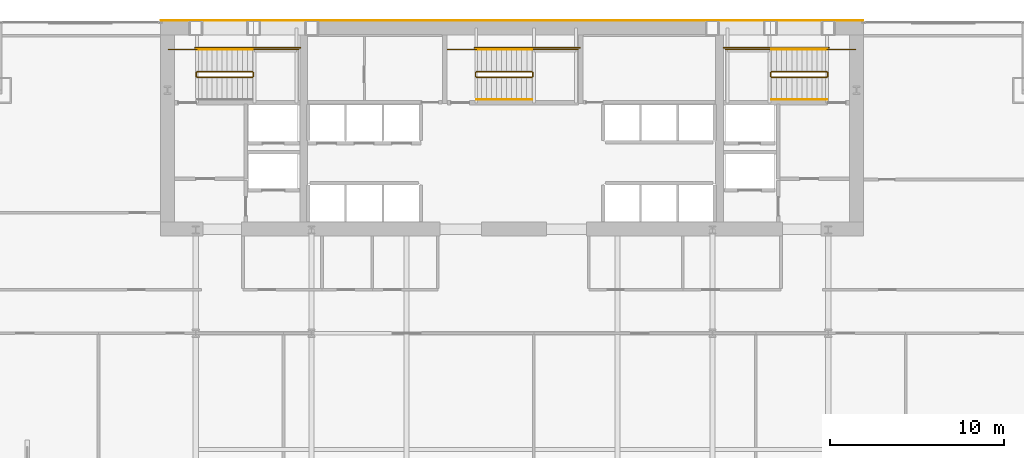
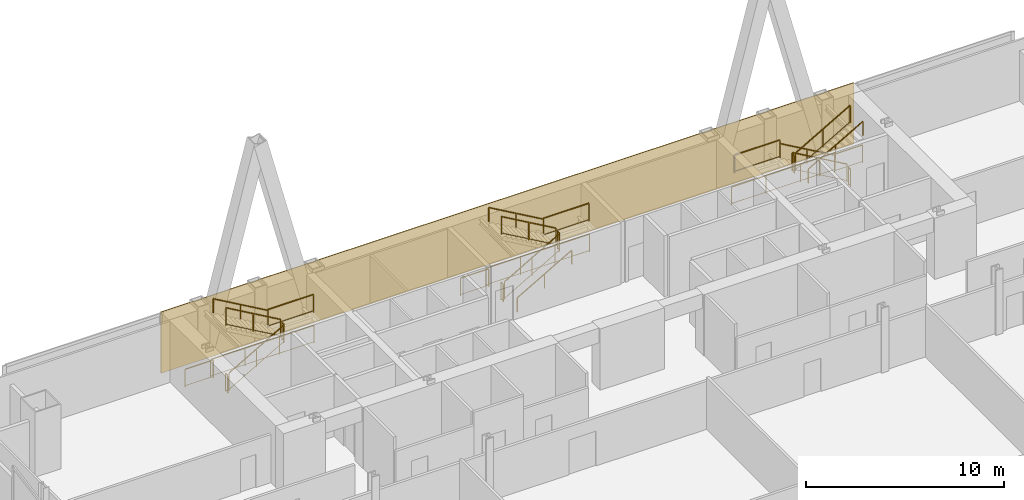
# One storey, part 32 of 32: 26 railings, 1 covering.
"""IFC4 building model written with IfcOpenShell, lengths in metres."""

from ifc_helpers import new_model, si_unit, direction, frame, origin, origin_2d, place, context, subcontext, project, spatial, polyline, rectangle, outline, extrude, material, layer, layer_set, type_object, element, save


model = new_model("IFC4")

# Units and contexts
model_context = context("Model", 3, precision=1e-05, world=origin(), true_north=direction((0.0, 1.0)))
body_context = subcontext(model_context, "Body", "Model", "MODEL_VIEW")
ifc_project = project(units=[si_unit("LENGTHUNIT", "METRE"), si_unit("AREAUNIT", "SQUARE_METRE"), si_unit("VOLUMEUNIT", "CUBIC_METRE"), si_unit("PLANEANGLEUNIT", "RADIAN"), si_unit("MASSUNIT", "GRAM", prefix="KILO")], contexts=[model_context])

# Site, building, storey
site_placement = place(None, origin())
site = spatial("IfcSite", under=ifc_project, at=site_placement, CompositionType="ELEMENT")
building_placement = place(site_placement, origin())
building = spatial("IfcBuilding", under=site, at=building_placement, Name="Khoronbel Lancet Exchange", CompositionType="ELEMENT")
storey_placement = place(building_placement, frame((0.0, 0.0, 81.800048828125)))
storey = spatial("IfcBuildingStorey", under=building, at=storey_placement, Name="L19", CompositionType="ELEMENT", Elevation=81.800048828125)

# Covering
ifc_material_1 = material(Name="Honed Egyptian Limestone & Bronze Rainscreen", Category="masonry")
ifc_layer = layer(ifc_material_1, 0.050048828125, Name="Honed Egyptian Limestone & Bronze Rainscreen")
ifc_layer_set = layer_set([ifc_layer], Name="Honed Egyptian Limestone & Bronze Rainscreen")
covering_type = type_object("IfcCoveringType", Name="COV-CLAD1", PredefinedType="CLADDING", material=ifc_layer_set)
covering_placement = place(storey_placement, origin())
element("IfcCovering", 1, at=covering_placement, inside=storey, type_object=covering_type, Name="Level L19 north rear-core stone and bronze rainscreen cladding", PredefinedType="CLADDING", context=body_context, shape_type="SweptSolid", body=[
    extrude(outline(polyline([(16.199951171875, 53.699951171875), (56.699951171875, 53.699951171875), (56.699951171875, 53.75), (16.199951171875, 53.75), (16.199951171875, 53.699951171875)])), origin(), (0.0, 0.0, 1.0), 3.780029296875),
])

# Railings
ifc_material_2 = material(Name="Painted Steel Balustrade", Category="steel")
railing_type_1 = type_object("IfcRailingType", Name="RL-STG110", PredefinedType="GUARDRAIL", material=ifc_material_2)
railing_1_placement = place(storey_placement, frame((18.300048828125, 50.449951171875, 0.16650390625)))
element("IfcRailing", 2, at=railing_1_placement, inside=storey, type_object=railing_type_1, Name="L19 ST1 stair guard 1", PredefinedType="GUARDRAIL", context=body_context, shape_type="SweptSolid", body=[
    extrude(rectangle(XDim=0.048095703125, YDim=0.048095703125, at=origin_2d()), frame((0.0, 0.0, 1.09619140625), z_axis=(0.86699087805, 0.0, 0.498324008431), x_axis=(0.0, 1.0, 0.0)), (0.0, 0.0, 1.0), 3.679443359375),
    extrude(rectangle(XDim=0.02392578125, YDim=0.02392578125, at=origin_2d()), frame((0.0, 0.0, 0.080078125), z_axis=(0.86699087805, 0.0, 0.498324008431), x_axis=(0.0, 1.0, 0.0)), (0.0, 0.0, 1.0), 3.679443359375),
    extrude(rectangle(XDim=0.0419921875, YDim=0.0419921875, at=origin_2d()), origin(), (0.0, 0.0, 1.0), 1.072021484375),
    extrude(rectangle(XDim=0.0419921875, YDim=0.0419921875, at=origin_2d()), frame((1.594970703125, 0.0, 0.916748046875)), (0.0, 0.0, 1.0), 1.072021484375),
    extrude(rectangle(XDim=0.0419921875, YDim=0.0419921875, at=origin_2d()), frame((3.18994140625, 0.0, 1.83349609375)), (0.0, 0.0, 1.0), 1.072021484375),
])
railing_2_placement = place(storey_placement, frame((21.5400390625, 50.5, 2.0)))
element("IfcRailing", 3, at=railing_2_placement, inside=storey, type_object=railing_type_1, Name="L19 ST1 stair guard 2", PredefinedType="GUARDRAIL", context=body_context, shape_type="SweptSolid", body=[
    extrude(rectangle(XDim=0.048095703125, YDim=0.048095703125, at=origin_2d()), frame((0.0, 0.0, 1.09619140625), z_axis=(0.0, 1.0, 0.0), x_axis=(-1.0, 0.0, 0.0)), (0.0, 0.0, 1.0), 0.219970703125),
    extrude(rectangle(XDim=0.02392578125, YDim=0.02392578125, at=origin_2d()), frame((0.0, 0.0, 0.080078125), z_axis=(0.0, 1.0, 0.0), x_axis=(-1.0, 0.0, 0.0)), (0.0, 0.0, 1.0), 0.219970703125),
    extrude(rectangle(XDim=0.0419921875, YDim=0.0419921875, at=origin_2d()), origin(), (0.0, 0.0, 1.0), 1.072021484375),
    extrude(rectangle(XDim=0.0419921875, YDim=0.0419921875, at=origin_2d()), frame((0.0, 0.219970703125, 0.0)), (0.0, 0.0, 1.0), 1.072021484375),
])
railing_3_placement = place(storey_placement, frame((21.489990234375, 52.050048828125, 2.0)))
element("IfcRailing", 4, at=railing_3_placement, inside=storey, type_object=railing_type_1, Name="L19 ST1 stair guard 3", PredefinedType="GUARDRAIL", context=body_context, shape_type="SweptSolid", body=[
    extrude(rectangle(XDim=0.048095703125, YDim=0.048095703125, at=origin_2d()), frame((0.0, 0.0, 1.09619140625), z_axis=(1.0, 0.0, 0.0), x_axis=(0.0, 1.0, 0.0)), (0.0, 0.0, 1.0), 2.659912109375),
    extrude(rectangle(XDim=0.02392578125, YDim=0.02392578125, at=origin_2d()), frame((0.0, 0.0, 0.080078125), z_axis=(1.0, 0.0, 0.0), x_axis=(0.0, 1.0, 0.0)), (0.0, 0.0, 1.0), 2.659912109375),
    extrude(rectangle(XDim=0.0419921875, YDim=0.0419921875, at=origin_2d()), origin(), (0.0, 0.0, 1.0), 1.072021484375),
    extrude(rectangle(XDim=0.0419921875, YDim=0.0419921875, at=origin_2d()), frame((2.659912109375, 0.0, 0.0)), (0.0, 0.0, 1.0), 1.072021484375),
])
railing_4_placement = place(storey_placement, frame((21.489990234375, 50.77001953125, 2.16650390625)))
element("IfcRailing", 5, at=railing_4_placement, inside=storey, type_object=railing_type_1, Name="L19 ST1 stair guard 4", PredefinedType="GUARDRAIL", context=body_context, shape_type="SweptSolid", body=[
    extrude(rectangle(XDim=0.048095703125, YDim=0.048095703125, at=origin_2d()), frame((0.0, 0.0, 1.09619140625), z_axis=(-0.86699087805, 0.0, 0.498324008431), x_axis=(0.0, -1.0, 0.0)), (0.0, 0.0, 1.0), 3.679443359375),
    extrude(rectangle(XDim=0.02392578125, YDim=0.02392578125, at=origin_2d()), frame((0.0, 0.0, 0.080078125), z_axis=(-0.86699087805, 0.0, 0.498324008431), x_axis=(0.0, -1.0, 0.0)), (0.0, 0.0, 1.0), 3.679443359375),
    extrude(rectangle(XDim=0.0419921875, YDim=0.0419921875, at=origin_2d()), origin(), (0.0, 0.0, 1.0), 1.072021484375),
    extrude(rectangle(XDim=0.0419921875, YDim=0.0419921875, at=origin_2d()), frame((-1.594970703125, 0.0, 0.916748046875)), (0.0, 0.0, 1.0), 1.072021484375),
    extrude(rectangle(XDim=0.0419921875, YDim=0.0419921875, at=origin_2d()), frame((-3.18994140625, 0.0, 1.83349609375)), (0.0, 0.0, 1.0), 1.072021484375),
])
railing_5_placement = place(storey_placement, frame((18.25, 50.5, 0.0)))
element("IfcRailing", 6, at=railing_5_placement, inside=storey, type_object=railing_type_1, Name="L19 ST1 stair guard 5", PredefinedType="GUARDRAIL", context=body_context, shape_type="SweptSolid", body=[
    extrude(rectangle(XDim=0.048095703125, YDim=0.048095703125, at=origin_2d()), frame((0.0, 0.0, 1.09619140625), z_axis=(0.0, 1.0, 0.0), x_axis=(-1.0, 0.0, 0.0)), (0.0, 0.0, 1.0), 0.219970703125),
    extrude(rectangle(XDim=0.02392578125, YDim=0.02392578125, at=origin_2d()), frame((0.0, 0.0, 0.080078125), z_axis=(0.0, 1.0, 0.0), x_axis=(-1.0, 0.0, 0.0)), (0.0, 0.0, 1.0), 0.219970703125),
    extrude(rectangle(XDim=0.0419921875, YDim=0.0419921875, at=origin_2d()), origin(), (0.0, 0.0, 1.0), 1.072021484375),
    extrude(rectangle(XDim=0.0419921875, YDim=0.0419921875, at=origin_2d()), frame((0.0, 0.219970703125, 0.0)), (0.0, 0.0, 1.0), 1.072021484375),
])
railing_6_placement = place(storey_placement, frame((16.64990234375, 52.050048828125, 0.0)))
element("IfcRailing", 7, at=railing_6_placement, inside=storey, type_object=railing_type_1, Name="L19 ST1 stair guard 6", PredefinedType="GUARDRAIL", context=body_context, shape_type="SweptSolid", body=[
    extrude(rectangle(XDim=0.048095703125, YDim=0.048095703125, at=origin_2d()), frame((0.0, 0.0, 1.09619140625), z_axis=(1.0, 0.0, 0.0), x_axis=(0.0, 1.0, 0.0)), (0.0, 0.0, 1.0), 1.650146484375),
    extrude(rectangle(XDim=0.02392578125, YDim=0.02392578125, at=origin_2d()), frame((0.0, 0.0, 0.080078125), z_axis=(1.0, 0.0, 0.0), x_axis=(0.0, 1.0, 0.0)), (0.0, 0.0, 1.0), 1.650146484375),
    extrude(rectangle(XDim=0.0419921875, YDim=0.0419921875, at=origin_2d()), origin(), (0.0, 0.0, 1.0), 1.072021484375),
    extrude(rectangle(XDim=0.0419921875, YDim=0.0419921875, at=origin_2d()), frame((1.650146484375, 0.0, 0.0)), (0.0, 0.0, 1.0), 1.072021484375),
])
railing_7_placement = place(storey_placement, frame((18.199951171875, 52.14990234375, 0.0)))
element("IfcRailing", 8, at=railing_7_placement, inside=storey, type_object=railing_type_1, Name="L19 ST1 stair guard 7", PredefinedType="GUARDRAIL", context=body_context, shape_type="SweptSolid", body=[
    extrude(rectangle(XDim=0.048095703125, YDim=0.048095703125, at=origin_2d()), frame((0.0, 0.0, 1.09619140625), z_axis=(1.0, 0.0, 0.0), x_axis=(0.0, 1.0, 0.0)), (0.0, 0.0, 1.0), 6.050048828125),
    extrude(rectangle(XDim=0.02392578125, YDim=0.02392578125, at=origin_2d()), frame((0.0, 0.0, 0.080078125), z_axis=(1.0, 0.0, 0.0), x_axis=(0.0, 1.0, 0.0)), (0.0, 0.0, 1.0), 6.050048828125),
    extrude(rectangle(XDim=0.0419921875, YDim=0.0419921875, at=origin_2d()), origin(), (0.0, 0.0, 1.0), 1.072021484375),
    extrude(rectangle(XDim=0.0419921875, YDim=0.0419921875, at=origin_2d()), frame((2.0166015625, 0.0, 0.0)), (0.0, 0.0, 1.0), 1.072021484375),
    extrude(rectangle(XDim=0.0419921875, YDim=0.0419921875, at=origin_2d()), frame((4.033447265625, 0.0, 0.0)), (0.0, 0.0, 1.0), 1.072021484375),
    extrude(rectangle(XDim=0.0419921875, YDim=0.0419921875, at=origin_2d()), frame((6.050048828125, 0.0, 0.0)), (0.0, 0.0, 1.0), 1.072021484375),
])
railing_8_placement = place(storey_placement, frame((54.60009765625, 50.77001953125, 0.16650390625)))
element("IfcRailing", 9, at=railing_8_placement, inside=storey, type_object=railing_type_1, Name="L19 ST2 stair guard 1", PredefinedType="GUARDRAIL", context=body_context, shape_type="SweptSolid", body=[
    extrude(rectangle(XDim=0.048095703125, YDim=0.048095703125, at=origin_2d()), frame((0.0, 0.0, 1.09619140625), z_axis=(-0.867007354286, 0.0, 0.498295341753), x_axis=(0.0, -1.0, 0.0)), (0.0, 0.0, 1.0), 3.679443359375),
    extrude(rectangle(XDim=0.02392578125, YDim=0.02392578125, at=origin_2d()), frame((0.0, 0.0, 0.080078125), z_axis=(-0.867007354286, 0.0, 0.498295341753), x_axis=(0.0, -1.0, 0.0)), (0.0, 0.0, 1.0), 3.679443359375),
    extrude(rectangle(XDim=0.0419921875, YDim=0.0419921875, at=origin_2d()), origin(), (0.0, 0.0, 1.0), 1.072021484375),
    extrude(rectangle(XDim=0.0419921875, YDim=0.0419921875, at=origin_2d()), frame((-1.59521484375, 0.0, 0.916748046875)), (0.0, 0.0, 1.0), 1.072021484375),
    extrude(rectangle(XDim=0.0419921875, YDim=0.0419921875, at=origin_2d()), frame((-3.190185546875, 0.0, 1.83349609375)), (0.0, 0.0, 1.0), 1.072021484375),
])
railing_9_placement = place(storey_placement, frame((51.360107421875, 50.719970703125, 2.0)))
element("IfcRailing", 10, at=railing_9_placement, inside=storey, type_object=railing_type_1, Name="L19 ST2 stair guard 2", PredefinedType="GUARDRAIL", context=body_context, shape_type="SweptSolid", body=[
    extrude(rectangle(XDim=0.048095703125, YDim=0.048095703125, at=origin_2d()), frame((0.0, 0.0, 1.09619140625), z_axis=(0.0, -1.0, 0.0), x_axis=(1.0, 0.0, 0.0)), (0.0, 0.0, 1.0), 0.219970703125),
    extrude(rectangle(XDim=0.02392578125, YDim=0.02392578125, at=origin_2d()), frame((0.0, 0.0, 0.080078125), z_axis=(0.0, -1.0, 0.0), x_axis=(1.0, 0.0, 0.0)), (0.0, 0.0, 1.0), 0.219970703125),
    extrude(rectangle(XDim=0.0419921875, YDim=0.0419921875, at=origin_2d()), origin(), (0.0, 0.0, 1.0), 1.072021484375),
    extrude(rectangle(XDim=0.0419921875, YDim=0.0419921875, at=origin_2d()), frame((0.0, -0.219970703125, 0.0)), (0.0, 0.0, 1.0), 1.072021484375),
])
railing_10_placement = place(storey_placement, frame((51.409912109375, 52.050048828125, 2.0)))
element("IfcRailing", 11, at=railing_10_placement, inside=storey, type_object=railing_type_1, Name="L19 ST2 stair guard 3", PredefinedType="GUARDRAIL", context=body_context, shape_type="SweptSolid", body=[
    extrude(rectangle(XDim=0.048095703125, YDim=0.048095703125, at=origin_2d()), frame((0.0, 0.0, 1.09619140625), z_axis=(-1.0, 0.0, 0.0), x_axis=(0.0, -1.0, 0.0)), (0.0, 0.0, 1.0), 2.659912109375),
    extrude(rectangle(XDim=0.02392578125, YDim=0.02392578125, at=origin_2d()), frame((0.0, 0.0, 0.080078125), z_axis=(-1.0, 0.0, 0.0), x_axis=(0.0, -1.0, 0.0)), (0.0, 0.0, 1.0), 2.659912109375),
    extrude(rectangle(XDim=0.0419921875, YDim=0.0419921875, at=origin_2d()), origin(), (0.0, 0.0, 1.0), 1.072021484375),
    extrude(rectangle(XDim=0.0419921875, YDim=0.0419921875, at=origin_2d()), frame((-2.659912109375, 0.0, 0.0)), (0.0, 0.0, 1.0), 1.072021484375),
])
railing_11_placement = place(storey_placement, frame((51.409912109375, 50.449951171875, 2.16650390625)))
element("IfcRailing", 12, at=railing_11_placement, inside=storey, type_object=railing_type_1, Name="L19 ST2 stair guard 4", PredefinedType="GUARDRAIL", context=body_context, shape_type="SweptSolid", body=[
    extrude(rectangle(XDim=0.048095703125, YDim=0.048095703125, at=origin_2d()), frame((0.0, 0.0, 1.09619140625), z_axis=(0.867007354286, 0.0, 0.498295341753), x_axis=(0.0, 1.0, 0.0)), (0.0, 0.0, 1.0), 3.679443359375),
    extrude(rectangle(XDim=0.02392578125, YDim=0.02392578125, at=origin_2d()), frame((0.0, 0.0, 0.080078125), z_axis=(0.867007354286, 0.0, 0.498295341753), x_axis=(0.0, 1.0, 0.0)), (0.0, 0.0, 1.0), 3.679443359375),
    extrude(rectangle(XDim=0.0419921875, YDim=0.0419921875, at=origin_2d()), origin(), (0.0, 0.0, 1.0), 1.072021484375),
    extrude(rectangle(XDim=0.0419921875, YDim=0.0419921875, at=origin_2d()), frame((1.59521484375, 0.0, 0.916748046875)), (0.0, 0.0, 1.0), 1.072021484375),
    extrude(rectangle(XDim=0.0419921875, YDim=0.0419921875, at=origin_2d()), frame((3.190185546875, 0.0, 1.83349609375)), (0.0, 0.0, 1.0), 1.072021484375),
])
railing_12_placement = place(storey_placement, frame((54.64990234375, 50.719970703125, 0.0)))
element("IfcRailing", 13, at=railing_12_placement, inside=storey, type_object=railing_type_1, Name="L19 ST2 stair guard 5", PredefinedType="GUARDRAIL", context=body_context, shape_type="SweptSolid", body=[
    extrude(rectangle(XDim=0.048095703125, YDim=0.048095703125, at=origin_2d()), frame((0.0, 0.0, 1.09619140625), z_axis=(0.0, -1.0, 0.0), x_axis=(1.0, 0.0, 0.0)), (0.0, 0.0, 1.0), 0.219970703125),
    extrude(rectangle(XDim=0.02392578125, YDim=0.02392578125, at=origin_2d()), frame((0.0, 0.0, 0.080078125), z_axis=(0.0, -1.0, 0.0), x_axis=(1.0, 0.0, 0.0)), (0.0, 0.0, 1.0), 0.219970703125),
    extrude(rectangle(XDim=0.0419921875, YDim=0.0419921875, at=origin_2d()), origin(), (0.0, 0.0, 1.0), 1.072021484375),
    extrude(rectangle(XDim=0.0419921875, YDim=0.0419921875, at=origin_2d()), frame((0.0, -0.219970703125, 0.0)), (0.0, 0.0, 1.0), 1.072021484375),
])
railing_13_placement = place(storey_placement, frame((56.25, 52.050048828125, 0.0)))
element("IfcRailing", 14, at=railing_13_placement, inside=storey, type_object=railing_type_1, Name="L19 ST2 stair guard 6", PredefinedType="GUARDRAIL", context=body_context, shape_type="SweptSolid", body=[
    extrude(rectangle(XDim=0.048095703125, YDim=0.048095703125, at=origin_2d()), frame((0.0, 0.0, 1.09619140625), z_axis=(-1.0, 0.0, 0.0), x_axis=(0.0, -1.0, 0.0)), (0.0, 0.0, 1.0), 1.64990234375),
    extrude(rectangle(XDim=0.02392578125, YDim=0.02392578125, at=origin_2d()), frame((0.0, 0.0, 0.080078125), z_axis=(-1.0, 0.0, 0.0), x_axis=(0.0, -1.0, 0.0)), (0.0, 0.0, 1.0), 1.64990234375),
    extrude(rectangle(XDim=0.0419921875, YDim=0.0419921875, at=origin_2d()), origin(), (0.0, 0.0, 1.0), 1.072021484375),
    extrude(rectangle(XDim=0.0419921875, YDim=0.0419921875, at=origin_2d()), frame((-1.64990234375, 0.0, 0.0)), (0.0, 0.0, 1.0), 1.072021484375),
])
railing_14_placement = place(storey_placement, frame((54.699951171875, 52.14990234375, 0.0)))
element("IfcRailing", 15, at=railing_14_placement, inside=storey, type_object=railing_type_1, Name="L19 ST2 stair guard 7", PredefinedType="GUARDRAIL", context=body_context, shape_type="SweptSolid", body=[
    extrude(rectangle(XDim=0.048095703125, YDim=0.048095703125, at=origin_2d()), frame((0.0, 0.0, 1.09619140625), z_axis=(-1.0, 0.0, 0.0), x_axis=(0.0, -1.0, 0.0)), (0.0, 0.0, 1.0), 6.050048828125),
    extrude(rectangle(XDim=0.02392578125, YDim=0.02392578125, at=origin_2d()), frame((0.0, 0.0, 0.080078125), z_axis=(-1.0, 0.0, 0.0), x_axis=(0.0, -1.0, 0.0)), (0.0, 0.0, 1.0), 6.050048828125),
    extrude(rectangle(XDim=0.0419921875, YDim=0.0419921875, at=origin_2d()), origin(), (0.0, 0.0, 1.0), 1.072021484375),
    extrude(rectangle(XDim=0.0419921875, YDim=0.0419921875, at=origin_2d()), frame((-2.0166015625, 0.0, 0.0)), (0.0, 0.0, 1.0), 1.072021484375),
    extrude(rectangle(XDim=0.0419921875, YDim=0.0419921875, at=origin_2d()), frame((-4.033447265625, 0.0, 0.0)), (0.0, 0.0, 1.0), 1.072021484375),
    extrude(rectangle(XDim=0.0419921875, YDim=0.0419921875, at=origin_2d()), frame((-6.050048828125, 0.0, 0.0)), (0.0, 0.0, 1.0), 1.072021484375),
])
railing_15_placement = place(storey_placement, frame((34.39990234375, 50.449951171875, 0.16650390625)))
element("IfcRailing", 16, at=railing_15_placement, inside=storey, type_object=railing_type_1, Name="L19 ST3 stair guard 1", PredefinedType="GUARDRAIL", context=body_context, shape_type="SweptSolid", body=[
    extrude(rectangle(XDim=0.048095703125, YDim=0.048095703125, at=origin_2d()), frame((0.0, 0.0, 1.09619140625), z_axis=(0.867007354286, 0.0, 0.498295341753), x_axis=(0.0, 1.0, 0.0)), (0.0, 0.0, 1.0), 3.679443359375),
    extrude(rectangle(XDim=0.02392578125, YDim=0.02392578125, at=origin_2d()), frame((0.0, 0.0, 0.080078125), z_axis=(0.867007354286, 0.0, 0.498295341753), x_axis=(0.0, 1.0, 0.0)), (0.0, 0.0, 1.0), 3.679443359375),
    extrude(rectangle(XDim=0.0419921875, YDim=0.0419921875, at=origin_2d()), origin(), (0.0, 0.0, 1.0), 1.072021484375),
    extrude(rectangle(XDim=0.0419921875, YDim=0.0419921875, at=origin_2d()), frame((1.59521484375, 0.0, 0.916748046875)), (0.0, 0.0, 1.0), 1.072021484375),
    extrude(rectangle(XDim=0.0419921875, YDim=0.0419921875, at=origin_2d()), frame((3.190185546875, 0.0, 1.83349609375)), (0.0, 0.0, 1.0), 1.072021484375),
])
railing_16_placement = place(storey_placement, frame((37.639892578125, 50.5, 2.0)))
element("IfcRailing", 17, at=railing_16_placement, inside=storey, type_object=railing_type_1, Name="L19 ST3 stair guard 2", PredefinedType="GUARDRAIL", context=body_context, shape_type="SweptSolid", body=[
    extrude(rectangle(XDim=0.048095703125, YDim=0.048095703125, at=origin_2d()), frame((0.0, 0.0, 1.09619140625), z_axis=(0.0, 1.0, 0.0), x_axis=(-1.0, 0.0, 0.0)), (0.0, 0.0, 1.0), 0.219970703125),
    extrude(rectangle(XDim=0.02392578125, YDim=0.02392578125, at=origin_2d()), frame((0.0, 0.0, 0.080078125), z_axis=(0.0, 1.0, 0.0), x_axis=(-1.0, 0.0, 0.0)), (0.0, 0.0, 1.0), 0.219970703125),
    extrude(rectangle(XDim=0.0419921875, YDim=0.0419921875, at=origin_2d()), origin(), (0.0, 0.0, 1.0), 1.072021484375),
    extrude(rectangle(XDim=0.0419921875, YDim=0.0419921875, at=origin_2d()), frame((0.0, 0.219970703125, 0.0)), (0.0, 0.0, 1.0), 1.072021484375),
])
railing_17_placement = place(storey_placement, frame((37.590087890625, 52.050048828125, 2.0)))
element("IfcRailing", 18, at=railing_17_placement, inside=storey, type_object=railing_type_1, Name="L19 ST3 stair guard 3", PredefinedType="GUARDRAIL", context=body_context, shape_type="SweptSolid", body=[
    extrude(rectangle(XDim=0.048095703125, YDim=0.048095703125, at=origin_2d()), frame((0.0, 0.0, 1.09619140625), z_axis=(1.0, 0.0, 0.0), x_axis=(0.0, 1.0, 0.0)), (0.0, 0.0, 1.0), 2.659912109375),
    extrude(rectangle(XDim=0.02392578125, YDim=0.02392578125, at=origin_2d()), frame((0.0, 0.0, 0.080078125), z_axis=(1.0, 0.0, 0.0), x_axis=(0.0, 1.0, 0.0)), (0.0, 0.0, 1.0), 2.659912109375),
    extrude(rectangle(XDim=0.0419921875, YDim=0.0419921875, at=origin_2d()), origin(), (0.0, 0.0, 1.0), 1.072021484375),
    extrude(rectangle(XDim=0.0419921875, YDim=0.0419921875, at=origin_2d()), frame((2.659912109375, 0.0, 0.0)), (0.0, 0.0, 1.0), 1.072021484375),
])
railing_18_placement = place(storey_placement, frame((37.590087890625, 50.77001953125, 2.16650390625)))
element("IfcRailing", 19, at=railing_18_placement, inside=storey, type_object=railing_type_1, Name="L19 ST3 stair guard 4", PredefinedType="GUARDRAIL", context=body_context, shape_type="SweptSolid", body=[
    extrude(rectangle(XDim=0.048095703125, YDim=0.048095703125, at=origin_2d()), frame((0.0, 0.0, 1.09619140625), z_axis=(-0.867007354286, 0.0, 0.498295341753), x_axis=(0.0, -1.0, 0.0)), (0.0, 0.0, 1.0), 3.679443359375),
    extrude(rectangle(XDim=0.02392578125, YDim=0.02392578125, at=origin_2d()), frame((0.0, 0.0, 0.080078125), z_axis=(-0.867007354286, 0.0, 0.498295341753), x_axis=(0.0, -1.0, 0.0)), (0.0, 0.0, 1.0), 3.679443359375),
    extrude(rectangle(XDim=0.0419921875, YDim=0.0419921875, at=origin_2d()), origin(), (0.0, 0.0, 1.0), 1.072021484375),
    extrude(rectangle(XDim=0.0419921875, YDim=0.0419921875, at=origin_2d()), frame((-1.59521484375, 0.0, 0.916748046875)), (0.0, 0.0, 1.0), 1.072021484375),
    extrude(rectangle(XDim=0.0419921875, YDim=0.0419921875, at=origin_2d()), frame((-3.190185546875, 0.0, 1.83349609375)), (0.0, 0.0, 1.0), 1.072021484375),
])
railing_19_placement = place(storey_placement, frame((34.35009765625, 50.5, 0.0)))
element("IfcRailing", 20, at=railing_19_placement, inside=storey, type_object=railing_type_1, Name="L19 ST3 stair guard 5", PredefinedType="GUARDRAIL", context=body_context, shape_type="SweptSolid", body=[
    extrude(rectangle(XDim=0.048095703125, YDim=0.048095703125, at=origin_2d()), frame((0.0, 0.0, 1.09619140625), z_axis=(0.0, 1.0, 0.0), x_axis=(-1.0, 0.0, 0.0)), (0.0, 0.0, 1.0), 0.219970703125),
    extrude(rectangle(XDim=0.02392578125, YDim=0.02392578125, at=origin_2d()), frame((0.0, 0.0, 0.080078125), z_axis=(0.0, 1.0, 0.0), x_axis=(-1.0, 0.0, 0.0)), (0.0, 0.0, 1.0), 0.219970703125),
    extrude(rectangle(XDim=0.0419921875, YDim=0.0419921875, at=origin_2d()), origin(), (0.0, 0.0, 1.0), 1.072021484375),
    extrude(rectangle(XDim=0.0419921875, YDim=0.0419921875, at=origin_2d()), frame((0.0, 0.219970703125, 0.0)), (0.0, 0.0, 1.0), 1.072021484375),
])
railing_20_placement = place(storey_placement, frame((32.75, 52.050048828125, 0.0)))
element("IfcRailing", 21, at=railing_20_placement, inside=storey, type_object=railing_type_1, Name="L19 ST3 stair guard 6", PredefinedType="GUARDRAIL", context=body_context, shape_type="SweptSolid", body=[
    extrude(rectangle(XDim=0.048095703125, YDim=0.048095703125, at=origin_2d()), frame((0.0, 0.0, 1.09619140625), z_axis=(1.0, 0.0, 0.0), x_axis=(0.0, 1.0, 0.0)), (0.0, 0.0, 1.0), 1.64990234375),
    extrude(rectangle(XDim=0.02392578125, YDim=0.02392578125, at=origin_2d()), frame((0.0, 0.0, 0.080078125), z_axis=(1.0, 0.0, 0.0), x_axis=(0.0, 1.0, 0.0)), (0.0, 0.0, 1.0), 1.64990234375),
    extrude(rectangle(XDim=0.0419921875, YDim=0.0419921875, at=origin_2d()), origin(), (0.0, 0.0, 1.0), 1.072021484375),
    extrude(rectangle(XDim=0.0419921875, YDim=0.0419921875, at=origin_2d()), frame((1.64990234375, 0.0, 0.0)), (0.0, 0.0, 1.0), 1.072021484375),
])
railing_21_placement = place(storey_placement, frame((34.300048828125, 52.14990234375, 0.0)))
element("IfcRailing", 22, at=railing_21_placement, inside=storey, type_object=railing_type_1, Name="L19 ST3 stair guard 7", PredefinedType="GUARDRAIL", context=body_context, shape_type="SweptSolid", body=[
    extrude(rectangle(XDim=0.048095703125, YDim=0.048095703125, at=origin_2d()), frame((0.0, 0.0, 1.09619140625), z_axis=(1.0, 0.0, 0.0), x_axis=(0.0, 1.0, 0.0)), (0.0, 0.0, 1.0), 6.050048828125),
    extrude(rectangle(XDim=0.02392578125, YDim=0.02392578125, at=origin_2d()), frame((0.0, 0.0, 0.080078125), z_axis=(1.0, 0.0, 0.0), x_axis=(0.0, 1.0, 0.0)), (0.0, 0.0, 1.0), 6.050048828125),
    extrude(rectangle(XDim=0.0419921875, YDim=0.0419921875, at=origin_2d()), origin(), (0.0, 0.0, 1.0), 1.072021484375),
    extrude(rectangle(XDim=0.0419921875, YDim=0.0419921875, at=origin_2d()), frame((2.0166015625, 0.0, 0.0)), (0.0, 0.0, 1.0), 1.072021484375),
    extrude(rectangle(XDim=0.0419921875, YDim=0.0419921875, at=origin_2d()), frame((4.033447265625, 0.0, 0.0)), (0.0, 0.0, 1.0), 1.072021484375),
    extrude(rectangle(XDim=0.0419921875, YDim=0.0419921875, at=origin_2d()), frame((6.050048828125, 0.0, 0.0)), (0.0, 0.0, 1.0), 1.072021484375),
])
ifc_material_3 = material(Name="Brushed Stainless Steel 316", Category="steel")
railing_type_2 = type_object("IfcRailingType", Name="RL-STH92", PredefinedType="HANDRAIL", material=ifc_material_3)
railing_22_placement = place(storey_placement, frame((21.489990234375, 52.050048828125, 2.16650390625)))
element("IfcRailing", 23, at=railing_22_placement, inside=storey, type_object=railing_type_2, Name="L19 ST1 stair handrail 2", PredefinedType="HANDRAIL", context=body_context, shape_type="SweptSolid", body=[
    extrude(rectangle(XDim=0.048095703125, YDim=0.048095703125, at=origin_2d()), frame((0.0, 0.0, 0.8759765625), z_axis=(-0.86699087805, 0.0, 0.498324008431), x_axis=(0.0, -1.0, 0.0)), (0.0, 0.0, 1.0), 3.679443359375),
    extrude(rectangle(XDim=0.0419921875, YDim=0.0419921875, at=origin_2d()), origin(), (0.0, 0.0, 1.0), 0.851806640625),
    extrude(rectangle(XDim=0.0419921875, YDim=0.0419921875, at=origin_2d()), frame((-1.594970703125, 0.0, 0.916748046875)), (0.0, 0.0, 1.0), 0.851806640625),
    extrude(rectangle(XDim=0.0419921875, YDim=0.0419921875, at=origin_2d()), frame((-3.18994140625, 0.0, 1.83349609375)), (0.0, 0.0, 1.0), 0.851806640625),
])
railing_23_placement = place(storey_placement, frame((54.60009765625, 52.050048828125, 0.16650390625)))
element("IfcRailing", 24, at=railing_23_placement, inside=storey, type_object=railing_type_2, Name="L19 ST2 stair handrail 1", PredefinedType="HANDRAIL", context=body_context, shape_type="SweptSolid", body=[
    extrude(rectangle(XDim=0.048095703125, YDim=0.048095703125, at=origin_2d()), frame((0.0, 0.0, 0.8759765625), z_axis=(-0.867007354286, 0.0, 0.498295341753), x_axis=(0.0, -1.0, 0.0)), (0.0, 0.0, 1.0), 3.679443359375),
    extrude(rectangle(XDim=0.0419921875, YDim=0.0419921875, at=origin_2d()), origin(), (0.0, 0.0, 1.0), 0.851806640625),
    extrude(rectangle(XDim=0.0419921875, YDim=0.0419921875, at=origin_2d()), frame((-1.59521484375, 0.0, 0.916748046875)), (0.0, 0.0, 1.0), 0.851806640625),
    extrude(rectangle(XDim=0.0419921875, YDim=0.0419921875, at=origin_2d()), frame((-3.190185546875, 0.0, 1.83349609375)), (0.0, 0.0, 1.0), 0.851806640625),
])
for number, where, name in (
    (25, (51.409912109375, 49.169921875, 2.16650390625), "L19 ST2 stair handrail 2"),
    (26, (34.39990234375, 49.169921875, 0.16650390625), "L19 ST3 stair handrail 1"),
):
    element("IfcRailing", number, at=place(storey_placement, frame(where)), inside=storey, type_object=railing_type_2, Name=name, PredefinedType="HANDRAIL", context=body_context, shape_type="SweptSolid", body=[
        extrude(rectangle(XDim=0.048095703125, YDim=0.048095703125, at=origin_2d()), frame((0.0, 0.0, 0.8759765625), z_axis=(0.867007354286, 0.0, 0.498295341753), x_axis=(0.0, 1.0, 0.0)), (0.0, 0.0, 1.0), 3.679443359375),
        extrude(rectangle(XDim=0.0419921875, YDim=0.0419921875, at=origin_2d()), origin(), (0.0, 0.0, 1.0), 0.851806640625),
        extrude(rectangle(XDim=0.0419921875, YDim=0.0419921875, at=origin_2d()), frame((1.59521484375, 0.0, 0.916748046875)), (0.0, 0.0, 1.0), 0.851806640625),
        extrude(rectangle(XDim=0.0419921875, YDim=0.0419921875, at=origin_2d()), frame((3.190185546875, 0.0, 1.83349609375)), (0.0, 0.0, 1.0), 0.851806640625),
    ])
railing_24_placement = place(storey_placement, frame((37.590087890625, 52.050048828125, 2.16650390625)))
element("IfcRailing", 27, at=railing_24_placement, inside=storey, type_object=railing_type_2, Name="L19 ST3 stair handrail 2", PredefinedType="HANDRAIL", context=body_context, shape_type="SweptSolid", body=[
    extrude(rectangle(XDim=0.048095703125, YDim=0.048095703125, at=origin_2d()), frame((0.0, 0.0, 0.8759765625), z_axis=(-0.867007354286, 0.0, 0.498295341753), x_axis=(0.0, -1.0, 0.0)), (0.0, 0.0, 1.0), 3.679443359375),
    extrude(rectangle(XDim=0.0419921875, YDim=0.0419921875, at=origin_2d()), origin(), (0.0, 0.0, 1.0), 0.851806640625),
    extrude(rectangle(XDim=0.0419921875, YDim=0.0419921875, at=origin_2d()), frame((-1.59521484375, 0.0, 0.916748046875)), (0.0, 0.0, 1.0), 0.851806640625),
    extrude(rectangle(XDim=0.0419921875, YDim=0.0419921875, at=origin_2d()), frame((-3.190185546875, 0.0, 1.83349609375)), (0.0, 0.0, 1.0), 0.851806640625),
])

save(model, "model.ifc")
